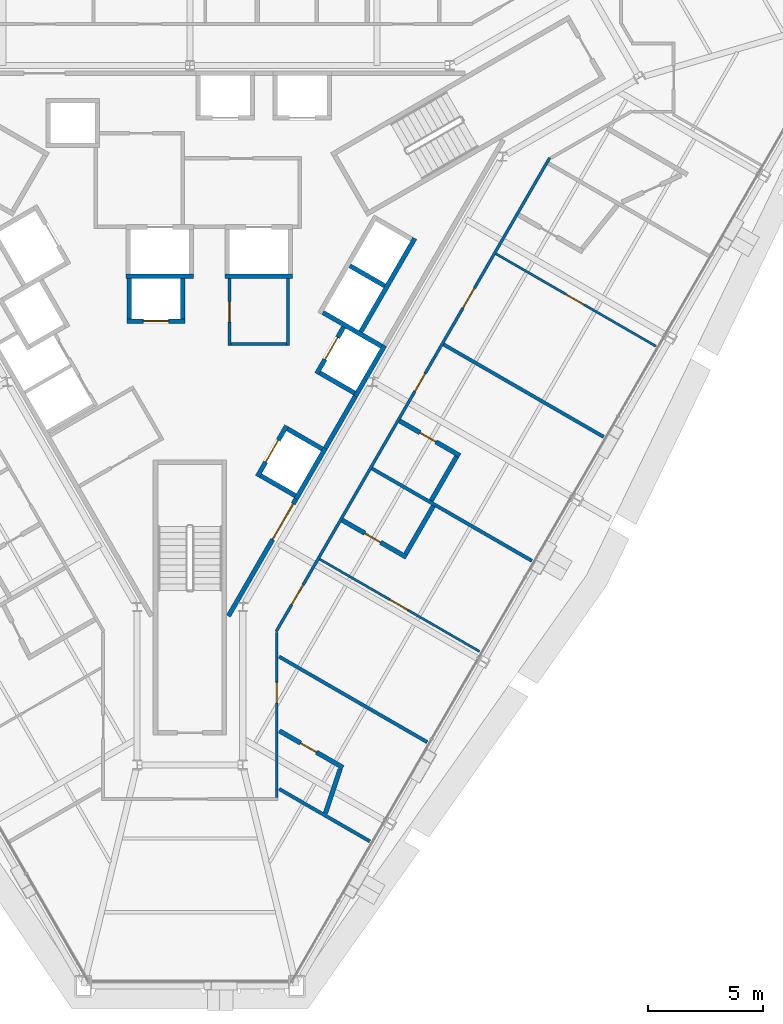
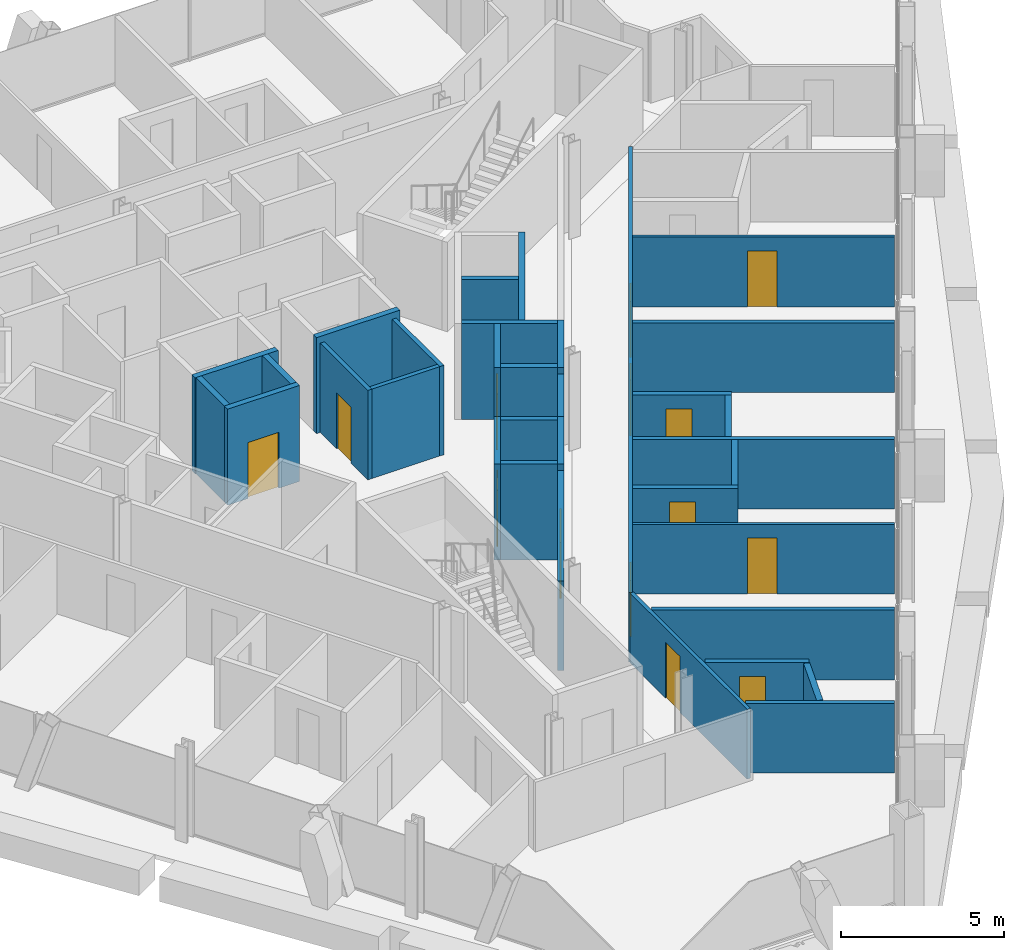
# One storey, part 14 of 19: 34 walls, 14 doors, 14 openings.
"""IFC4 building model written with IfcOpenShell, lengths in metres."""

from ifc_helpers import new_model, si_unit, direction, frame, frame_2d, origin, place, context, subcontext, project, spatial, rectangle, extrude, material, layer, layer_set, type_object, element, fill, save


model = new_model("IFC4")

# Units and contexts
model_context = context("Model", 3, precision=1e-05, world=origin(), true_north=direction((0.0, 1.0)))
body_context = subcontext(model_context, "Body", "Model", "MODEL_VIEW")
ifc_project = project(units=[si_unit("LENGTHUNIT", "METRE"), si_unit("AREAUNIT", "SQUARE_METRE"), si_unit("VOLUMEUNIT", "CUBIC_METRE"), si_unit("PLANEANGLEUNIT", "RADIAN"), si_unit("MASSUNIT", "GRAM", prefix="KILO")], contexts=[model_context])

# Site, building, storey
site_placement = place(None, origin())
site = spatial("IfcSite", under=ifc_project, at=site_placement, CompositionType="ELEMENT")
building_placement = place(site_placement, origin())
building = spatial("IfcBuilding", under=site, at=building_placement, Name="Verrane Prism Tower", CompositionType="ELEMENT")
storey_placement = place(building_placement, frame((0.0, 0.0, 125.199951171875)))
storey = spatial("IfcBuildingStorey", under=building, at=storey_placement, Name="L30", CompositionType="ELEMENT", Elevation=125.199951171875)

# Wall, opening, door
ifc_material_1 = material(Name="Gypsum board partition", Category="other")
ifc_layer_1 = layer(ifc_material_1, 0.199951171875)
ifc_layer_set_1 = layer_set([ifc_layer_1], Name="CW-200 core boundary wall 2 h")
wall_type_1 = type_object("IfcWallType", Name="CW-200 core boundary wall 2 h", PredefinedType="PARTITIONING", material=ifc_layer_set_1)
wall_1_placement = place(storey_placement, frame((1.677490234375, -14.814697265625, 0.0), z_axis=(0.0, 0.0, 1.0), x_axis=(0.49999445743, 0.866028603765, 0.0)))
wall_1 = element("IfcWall", 1, at=wall_1_placement, inside=storey, type_object=wall_type_1, Name="Core boundary wall CW3-003", PredefinedType="PARTITIONING", context=body_context, shape_type="SweptSolid", body=[
    extrude(rectangle(XDim=5.90478515625, YDim=0.199951171875, at=frame_2d((2.952392578125, 0.0))), origin(), (0.0, 0.0, 1.0), 3.35009765625),
])
opening_1_placement = place(wall_1_placement, frame((3.85498046875, 0.0, 0.0)))
opening_1 = element("IfcOpeningElement", 2, at=opening_1_placement, cuts=wall_1, Name="Opening D29517", PredefinedType="OPENING", context=body_context, shape_type="SweptSolid", body=[
    extrude(rectangle(XDim=1.800048828125, YDim=2.10009765625, at=frame_2d((0.89990234375, 1.050048828125))), frame((0.0, 0.10986328125, 0.0), z_axis=(0.0, -1.0, 0.0), x_axis=(1.0, 0.0, 0.0)), (0.0, 0.0, 1.0), 0.219970703125),
])
ifc_material_2 = material(Name="Timber veneered door leaf", Category="wood")
door_type_1 = type_object("IfcDoorType", Name="DR-1800x2100 FD60 double leaf lift lobby", OperationType="NOTDEFINED", PredefinedType="DOOR", material=ifc_material_2)
door_1_placement = place(opening_1_placement, origin())
door_1 = element("IfcDoor", 3, at=door_1_placement, inside=storey, type_object=door_type_1, Name="Lift lobby door D29517", OperationType="DOUBLE_DOOR_SINGLE_SWING", OverallHeight=2.10009765625, OverallWidth=1.800048828125, PredefinedType="DOOR", context=body_context, shape_type="SweptSolid", body=[
    extrude(rectangle(XDim=1.800048828125, YDim=2.10009765625, at=frame_2d((0.89990234375, 1.050048828125))), frame((0.0, 0.02490234375, 0.0), z_axis=(0.0, -1.0, 0.0), x_axis=(1.0, 0.0, 0.0)), (0.0, 0.0, 1.0), 0.050048828125),
])
fill(opening_1, door_1)

# Wall
wall_2_placement = place(storey_placement, frame((5.906005859375, -7.489990234375, 0.0), z_axis=(0.0, 0.0, 1.0), x_axis=(0.500252727967, 0.865879442048, 0.0)))
element("IfcWall", 4, at=wall_2_placement, inside=storey, type_object=wall_type_1, Name="Core boundary wall CW3-005", PredefinedType="PARTITIONING", context=body_context, shape_type="SweptSolid", body=[
    extrude(rectangle(XDim=2.616943359375, YDim=0.199951171875, at=frame_2d((1.30859375, 0.0))), origin(), (0.0, 0.0, 1.0), 3.35009765625),
])

# Wall, opening, door
ifc_material_3 = material(Name="Gypsum board shaft wall assembly", Category="other")
ifc_layer_2 = layer(ifc_material_3, 0.199951171875)
ifc_layer_set_2 = layer_set([ifc_layer_2], Name="HW-200 lift shaft wall 2 h")
wall_type_2 = type_object("IfcWallType", Name="HW-200 lift shaft wall 2 h", PredefinedType="PARTITIONING", material=ifc_layer_set_2)
wall_3_placement = place(storey_placement, frame((-2.7548828125, -1.949951171875, 0.0), z_axis=(0.0, 0.0, 1.0), x_axis=(1.0, 0.0, 0.0)))
wall_3 = element("IfcWall", 5, at=wall_3_placement, inside=storey, type_object=wall_type_2, Name="Lift shaft wall", PredefinedType="PARTITIONING", context=body_context, shape_type="SweptSolid", body=[
    extrude(rectangle(XDim=2.5498046875, YDim=0.199951171875, at=frame_2d((1.27490234375, 0.0))), origin(), (0.0, 0.0, 1.0), 3.60009765625),
])
opening_2_placement = place(wall_3_placement, frame((0.72509765625, 0.0, 0.0)))
opening_2 = element("IfcOpeningElement", 6, at=opening_2_placement, cuts=wall_3, Name="Opening D29504", PredefinedType="OPENING", context=body_context, shape_type="SweptSolid", body=[
    extrude(rectangle(XDim=1.10009765625, YDim=2.10009765625, at=frame_2d((0.550048828125, 1.050048828125))), frame((0.0, 0.10986328125, 0.0), z_axis=(0.0, -1.0, 0.0), x_axis=(1.0, 0.0, 0.0)), (0.0, 0.0, 1.0), 0.219970703125),
])
ifc_material_4 = material(Name="Stainless steel sliding landing door", Category="steel")
door_type_2 = type_object("IfcDoorType", Name="LD-1100x2100 lift landing door FD90 sliding", OperationType="NOTDEFINED", PredefinedType="DOOR", material=ifc_material_4)
door_2_placement = place(opening_2_placement, origin())
door_2 = element("IfcDoor", 7, at=door_2_placement, inside=storey, type_object=door_type_2, Name="Bank A lift 2 landing door", OperationType="SLIDING_TO_RIGHT", OverallHeight=2.10009765625, OverallWidth=1.10009765625, PredefinedType="DOOR", context=body_context, shape_type="SweptSolid", body=[
    extrude(rectangle(XDim=1.10009765625, YDim=2.10009765625, at=frame_2d((0.550048828125, 1.050048828125))), frame((0.0, 0.02490234375, 0.0), z_axis=(0.0, -1.0, 0.0), x_axis=(1.0, 0.0, 0.0)), (0.0, 0.0, 1.0), 0.050048828125),
])
fill(opening_2, door_2)

# Walls
wall_4_placement = place(storey_placement, frame((-2.784912109375, 0.0, 0.0), z_axis=(0.0, 0.0, 1.0), x_axis=(1.0, 0.0, 0.0)))
element("IfcWall", 8, at=wall_4_placement, inside=storey, type_object=wall_type_2, Name="Lift shaft wall", PredefinedType="PARTITIONING", context=body_context, shape_type="SweptSolid", body=[
    extrude(rectangle(XDim=2.949951171875, YDim=0.199951171875, at=frame_2d((1.47509765625, 0.0))), origin(), (0.0, 0.0, 1.0), 3.60009765625),
])
wall_5_placement = place(storey_placement, frame((1.52490234375, 0.0, 0.0), z_axis=(0.0, 0.0, 1.0), x_axis=(1.0, 0.0, 0.0)))
element("IfcWall", 9, at=wall_5_placement, inside=storey, type_object=wall_type_2, Name="Lift shaft wall", PredefinedType="PARTITIONING", context=body_context, shape_type="SweptSolid", body=[
    extrude(rectangle(XDim=2.9501953125, YDim=0.199951171875, at=frame_2d((1.47509765625, 0.0))), origin(), (0.0, 0.0, 1.0), 3.60009765625),
])
wall_6_placement = place(storey_placement, frame((4.63037109375, -9.69970703125, 0.0), z_axis=(0.0, 0.0, 1.0), x_axis=(0.500062241894, 0.865989465428, 0.0)))
element("IfcWall", 10, at=wall_6_placement, inside=storey, type_object=wall_type_2, Name="Lift shaft wall", PredefinedType="PARTITIONING", context=body_context, shape_type="SweptSolid", body=[
    extrude(rectangle(XDim=2.550048828125, YDim=0.199951171875, at=frame_2d((1.27490234375, 0.0))), origin(), (0.0, 0.0, 1.0), 3.60009765625),
])
wall_7_placement = place(storey_placement, frame((7.215576171875, -5.222412109375, 0.0), z_axis=(0.0, 0.0, 1.0), x_axis=(0.499990435942, 0.866030925526, 0.0)))
element("IfcWall", 11, at=wall_7_placement, inside=storey, type_object=wall_type_2, Name="Lift shaft wall", PredefinedType="PARTITIONING", context=body_context, shape_type="SweptSolid", body=[
    extrude(rectangle(XDim=2.5498046875, YDim=0.199951171875, at=frame_2d((1.27490234375, 0.0))), origin(), (0.0, 0.0, 1.0), 3.60009765625),
])
wall_8_placement = place(storey_placement, frame((7.451171875, -2.4140625, 0.0), z_axis=(0.0, 0.0, 1.0), x_axis=(0.500016218704, 0.866016039709, 0.0)))
element("IfcWall", 12, at=wall_8_placement, inside=storey, type_object=wall_type_2, Name="Lift shaft wall", PredefinedType="PARTITIONING", context=body_context, shape_type="SweptSolid", body=[
    extrude(rectangle(XDim=4.699951171875, YDim=0.199951171875, at=frame_2d((2.35009765625, 0.0))), origin(), (0.0, 0.0, 1.0), 3.60009765625),
])

# Wall, opening, door
wall_9_placement = place(storey_placement, frame((2.941650390625, -8.724853515625, 0.0), z_axis=(0.0, 0.0, 1.0), x_axis=(0.500020783669, 0.866013403995, 0.0)))
wall_9 = element("IfcWall", 13, at=wall_9_placement, inside=storey, type_object=wall_type_2, Name="Lift shaft wall", PredefinedType="PARTITIONING", context=body_context, shape_type="SweptSolid", body=[
    extrude(rectangle(XDim=2.55029296875, YDim=0.199951171875, at=frame_2d((1.275146484375, 0.0))), origin(), (0.0, 0.0, 1.0), 3.60009765625),
])
opening_3_placement = place(wall_9_placement, frame((0.72509765625, 0.0, 0.0)))
opening_3 = element("IfcOpeningElement", 14, at=opening_3_placement, cuts=wall_9, Name="Opening D29506", PredefinedType="OPENING", context=body_context, shape_type="SweptSolid", body=[
    extrude(rectangle(XDim=1.10009765625, YDim=2.10009765625, at=frame_2d((0.550048828125, 1.050048828125))), frame((0.0, 0.10986328125, 0.0), z_axis=(0.0, -1.0, 0.0), x_axis=(1.0, 0.0, 0.0)), (0.0, 0.0, 1.0), 0.219970703125),
])
door_3_placement = place(opening_3_placement, origin())
door_3 = element("IfcDoor", 15, at=door_3_placement, inside=storey, type_object=door_type_2, Name="Bank A lift 4 landing door", OperationType="SLIDING_TO_RIGHT", OverallHeight=2.10009765625, OverallWidth=1.10009765625, PredefinedType="DOOR", context=body_context, shape_type="SweptSolid", body=[
    extrude(rectangle(XDim=1.10009765625, YDim=2.10009765625, at=frame_2d((0.550048828125, 1.050048828125))), frame((0.0, 0.02490234375, 0.0), z_axis=(0.0, -1.0, 0.0), x_axis=(1.0, 0.0, 0.0)), (0.0, 0.0, 1.0), 0.050048828125),
])
fill(opening_3, door_3)

wall_10_placement = place(storey_placement, frame((5.52685546875, -4.247314453125, 0.0), z_axis=(0.0, 0.0, 1.0), x_axis=(0.499938297808, 0.866061024631, 0.0)))
wall_10 = element("IfcWall", 16, at=wall_10_placement, inside=storey, type_object=wall_type_2, Name="Lift shaft wall", PredefinedType="PARTITIONING", context=body_context, shape_type="SweptSolid", body=[
    extrude(rectangle(XDim=2.349853515625, YDim=0.199951171875, at=frame_2d((1.1748046875, 0.0))), origin(), (0.0, 0.0, 1.0), 3.60009765625),
])
opening_4_placement = place(wall_10_placement, frame((0.72509765625, 0.0, 0.0)))
opening_4 = element("IfcOpeningElement", 17, at=opening_4_placement, cuts=wall_10, Name="Opening D29507", PredefinedType="OPENING", context=body_context, shape_type="SweptSolid", body=[
    extrude(rectangle(XDim=1.10009765625, YDim=2.10009765625, at=frame_2d((0.550048828125, 1.050048828125))), frame((0.0, 0.10986328125, 0.0), z_axis=(0.0, -1.0, 0.0), x_axis=(1.0, 0.0, 0.0)), (0.0, 0.0, 1.0), 0.219970703125),
])
door_4_placement = place(opening_4_placement, origin())
door_4 = element("IfcDoor", 18, at=door_4_placement, inside=storey, type_object=door_type_2, Name="Bank A lift 5 landing door", OperationType="SLIDING_TO_LEFT", OverallHeight=2.10009765625, OverallWidth=1.10009765625, PredefinedType="DOOR", context=body_context, shape_type="SweptSolid", body=[
    extrude(rectangle(XDim=1.10009765625, YDim=2.10009765625, at=frame_2d((0.550048828125, 1.050048828125))), frame((0.0, 0.02490234375, 0.0), z_axis=(0.0, -1.0, 0.0), x_axis=(1.0, 0.0, 0.0)), (0.0, 0.0, 1.0), 0.050048828125),
])
fill(opening_4, door_4)

# Walls
for number, where, z_axis, x_axis, name in (
    (19, (-0.304931640625, -1.85009765625, 0.0), (0.0, 0.0, 1.0), (0.0, 1.0, 0.0), "Lift shaft wall"),
    (20, (-2.655029296875, -1.85009765625, 0.0), (0.0, 0.0, 1.0), (0.0, 1.0, 0.0), "Lift shaft wall"),
    (21, (8.48974609375, -0.41552734375, 0.0), (0.0, 0.0, 1.0), (-0.866036909293, 0.499980071345, 0.0), "Lift shaft wall"),
):
    element("IfcWall", number, at=place(storey_placement, frame(where, z_axis=z_axis, x_axis=x_axis)), inside=storey, type_object=wall_type_2, Name=name, PredefinedType="PARTITIONING", context=body_context, shape_type="SweptSolid", body=[
        extrude(rectangle(XDim=1.75, YDim=0.199951171875, at=frame_2d((0.875, 0.0))), origin(), (0.0, 0.0, 1.0), 3.60009765625),
    ])
wall_11_placement = place(storey_placement, frame((8.35400390625, -3.050537109375, 0.0), z_axis=(0.0, 0.0, 1.0), x_axis=(-0.866060182126, 0.499939757307, 0.0)))
element("IfcWall", 22, at=wall_11_placement, inside=storey, type_object=wall_type_2, Name="Lift shaft wall", PredefinedType="PARTITIONING", context=body_context, shape_type="SweptSolid", body=[
    extrude(rectangle(XDim=2.949951171875, YDim=0.199951171875, at=frame_2d((1.47509765625, 0.0))), origin(), (0.0, 0.0, 1.0), 3.60009765625),
])
wall_12_placement = place(storey_placement, frame((7.178955078125, -5.085693359375, 0.0), z_axis=(0.0, 0.0, 1.0), x_axis=(-0.866036909293, 0.499980071345, 0.0)))
element("IfcWall", 23, at=wall_12_placement, inside=storey, type_object=wall_type_2, Name="Lift shaft wall", PredefinedType="PARTITIONING", context=body_context, shape_type="SweptSolid", body=[
    extrude(rectangle(XDim=1.75, YDim=0.199951171875, at=frame_2d((0.875, 0.0))), origin(), (0.0, 0.0, 1.0), 3.60009765625),
])
wall_13_placement = place(storey_placement, frame((5.768798828125, -7.528076171875, 0.0), z_axis=(0.0, 0.0, 1.0), x_axis=(-0.866002029911, 0.500040482552, 0.0)))
element("IfcWall", 24, at=wall_13_placement, inside=storey, type_object=wall_type_2, Name="Lift shaft wall", PredefinedType="PARTITIONING", context=body_context, shape_type="SweptSolid", body=[
    extrude(rectangle(XDim=1.749755859375, YDim=0.199951171875, at=frame_2d((0.875, 0.0))), origin(), (0.0, 0.0, 1.0), 3.60009765625),
])
wall_14_placement = place(storey_placement, frame((4.593994140625, -9.563232421875, 0.0), z_axis=(0.0, 0.0, 1.0), x_axis=(-0.866036909293, 0.499980071345, 0.0)))
element("IfcWall", 25, at=wall_14_placement, inside=storey, type_object=wall_type_2, Name="Lift shaft wall", PredefinedType="PARTITIONING", context=body_context, shape_type="SweptSolid", body=[
    extrude(rectangle(XDim=1.75, YDim=0.199951171875, at=frame_2d((0.875, 0.0))), origin(), (0.0, 0.0, 1.0), 3.60009765625),
])

# Wall, opening, door
ifc_material_5 = material(Name="Gypsum board partition", Category="other")
ifc_layer_3 = layer(ifc_material_5, 0.10009765625)
ifc_layer_set_3 = layer_set([ifc_layer_3], Name="PW-100 room partition")
wall_type_3 = type_object("IfcWallType", Name="PW-100 room partition", PredefinedType="PARTITIONING", material=ifc_layer_set_3)
wall_15_placement = place(storey_placement, frame((5.654052734375, -12.331298828125, 0.0), z_axis=(0.0, 0.0, 1.0), x_axis=(0.866051796338, -0.49995428397, 0.0)))
wall_15 = element("IfcWall", 26, at=wall_15_placement, inside=storey, type_object=wall_type_3, Name="Room partition 051", PredefinedType="PARTITIONING", context=body_context, shape_type="SweptSolid", body=[
    extrude(rectangle(XDim=8.052490234375, YDim=0.10009765625, at=frame_2d((4.0263671875, 0.0))), origin(), (0.0, 0.0, 1.0), 2.613037109375),
])
opening_5_placement = place(wall_15_placement, frame((3.53759765625, 0.0, 0.0)))
opening_5 = element("IfcOpeningElement", 27, at=opening_5_placement, cuts=wall_15, Name="Opening D29031", PredefinedType="OPENING", context=body_context, shape_type="SweptSolid", body=[
    extrude(rectangle(XDim=0.89990234375, YDim=2.10009765625, at=frame_2d((0.449951171875, 1.050048828125))), frame((0.0, 0.06005859375, 0.0), z_axis=(0.0, -1.0, 0.0), x_axis=(1.0, 0.0, 0.0)), (0.0, 0.0, 1.0), 0.1201171875),
])
ifc_material_6 = material(Name="Timber veneered door leaf", Category="wood")
door_type_3 = type_object("IfcDoorType", Name="DR-900x2100 single leaf inner", OperationType="NOTDEFINED", PredefinedType="DOOR", material=ifc_material_6)
door_5_placement = place(opening_5_placement, origin())
door_5 = element("IfcDoor", 28, at=door_5_placement, inside=storey, type_object=door_type_3, Name="Suite Living Room door", OperationType="SINGLE_SWING_LEFT", OverallHeight=2.10009765625, OverallWidth=0.89990234375, PredefinedType="DOOR", context=body_context, shape_type="SweptSolid", body=[
    extrude(rectangle(XDim=0.89990234375, YDim=2.10009765625, at=frame_2d((0.449951171875, 1.050048828125))), frame((0.0, 0.02490234375, 0.0), z_axis=(0.0, -1.0, 0.0), x_axis=(1.0, 0.0, 0.0)), (0.0, 0.0, 1.0), 0.050048828125),
])
fill(opening_5, door_5)

wall_16_placement = place(storey_placement, frame((13.341064453125, 0.981689453125, 0.0), z_axis=(0.0, 0.0, 1.0), x_axis=(0.865974505336, -0.500088148337, 0.0)))
wall_16 = element("IfcWall", 29, at=wall_16_placement, inside=storey, type_object=wall_type_3, Name="Room partition 062", PredefinedType="PARTITIONING", context=body_context, shape_type="SweptSolid", body=[
    extrude(rectangle(XDim=8.0517578125, YDim=0.10009765625, at=frame_2d((4.02587890625, 0.0))), origin(), (0.0, 0.0, 1.0), 2.613037109375),
])
opening_6_placement = place(wall_16_placement, frame((3.53759765625, 0.0, 0.0)))
opening_6 = element("IfcOpeningElement", 30, at=opening_6_placement, cuts=wall_16, Name="Opening D29036", PredefinedType="OPENING", context=body_context, shape_type="SweptSolid", body=[
    extrude(rectangle(XDim=0.89990234375, YDim=2.10009765625, at=frame_2d((0.449951171875, 1.050048828125))), frame((0.0, 0.06005859375, 0.0), z_axis=(0.0, -1.0, 0.0), x_axis=(1.0, 0.0, 0.0)), (0.0, 0.0, 1.0), 0.1201171875),
])
door_6_placement = place(opening_6_placement, origin())
door_6 = element("IfcDoor", 31, at=door_6_placement, inside=storey, type_object=door_type_3, Name="Suite Living Room door", OperationType="SINGLE_SWING_RIGHT", OverallHeight=2.10009765625, OverallWidth=0.89990234375, PredefinedType="DOOR", context=body_context, shape_type="SweptSolid", body=[
    extrude(rectangle(XDim=0.89990234375, YDim=2.10009765625, at=frame_2d((0.449951171875, 1.050048828125))), frame((0.0, 0.02490234375, 0.0), z_axis=(0.0, -1.0, 0.0), x_axis=(1.0, 0.0, 0.0)), (0.0, 0.0, 1.0), 0.050048828125),
])
fill(opening_6, door_6)

ifc_material_7 = material(Name="Gypsum board partition", Category="other")
ifc_layer_4 = layer(ifc_material_7, 0.125)
ifc_layer_set_4 = layer_set([ifc_layer_4], Name="PW-125 corridor wall 1 h")
wall_type_4 = type_object("IfcWallType", Name="PW-125 corridor wall 1 h", PredefinedType="PARTITIONING", material=ifc_layer_set_4)
wall_17_placement = place(storey_placement, frame((3.787109375, -15.52490234375, 0.0), z_axis=(0.0, 0.0, 1.0), x_axis=(0.0, -1.0, 0.0)))
wall_17 = element("IfcWall", 32, at=wall_17_placement, inside=storey, type_object=wall_type_4, Name="Corridor wall 044", PredefinedType="PARTITIONING", context=body_context, shape_type="SweptSolid", body=[
    extrude(rectangle(XDim=7.197021484375, YDim=0.125, at=frame_2d((3.5986328125, 0.0))), origin(), (0.0, 0.0, 1.0), 2.613037109375),
])
opening_7_placement = place(wall_17_placement, frame((2.177001953125, 0.0, 0.0)))
opening_7 = element("IfcOpeningElement", 33, at=opening_7_placement, cuts=wall_17, Name="Opening D29028", PredefinedType="OPENING", context=body_context, shape_type="SweptSolid", body=[
    extrude(rectangle(XDim=0.89990234375, YDim=2.10009765625, at=frame_2d((0.449951171875, 1.050048828125))), frame((0.0, 0.072509765625, 0.0), z_axis=(0.0, -1.0, 0.0), x_axis=(1.0, 0.0, 0.0)), (0.0, 0.0, 1.0), 0.14501953125),
])
ifc_material_8 = material(Name="Timber veneered door leaf", Category="wood")
door_type_4 = type_object("IfcDoorType", Name="DR-900x2100 FD20 single leaf unit", OperationType="NOTDEFINED", PredefinedType="DOOR", material=ifc_material_8)
door_7_placement = place(opening_7_placement, origin())
door_7 = element("IfcDoor", 34, at=door_7_placement, inside=storey, type_object=door_type_4, Name="Guest Room door", OperationType="SINGLE_SWING_LEFT", OverallHeight=2.10009765625, OverallWidth=0.89990234375, PredefinedType="DOOR", context=body_context, shape_type="SweptSolid", body=[
    extrude(rectangle(XDim=0.89990234375, YDim=2.10009765625, at=frame_2d((0.449951171875, 1.050048828125))), frame((0.0, 0.02490234375, 0.0), z_axis=(0.0, -1.0, 0.0), x_axis=(1.0, 0.0, 0.0)), (0.0, 0.0, 1.0), 0.050048828125),
])
fill(opening_7, door_7)

# Wall, openings, doors
wall_18_placement = place(storey_placement, frame((15.684326171875, 5.1650390625, 0.0), z_axis=(0.0, 0.0, 1.0), x_axis=(-0.500027787016, -0.866009360349, 0.0)))
wall_18 = element("IfcWall", 35, at=wall_18_placement, inside=storey, type_object=wall_type_4, Name="Corridor wall 048", PredefinedType="PARTITIONING", context=body_context, shape_type="SweptSolid", body=[
    extrude(rectangle(XDim=23.855712890625, YDim=0.125, at=frame_2d((11.927734375, 0.0))), origin(), (0.0, 0.0, 1.0), 2.613037109375),
])
opening_8_placement = place(wall_18_placement, frame((21.4931640625, 0.0, 0.0)))
opening_8 = element("IfcOpeningElement", 36, at=opening_8_placement, cuts=wall_18, Name="Opening D29030", PredefinedType="OPENING", context=body_context, shape_type="SweptSolid", body=[
    extrude(rectangle(XDim=1.0, YDim=2.10009765625, at=frame_2d((0.5, 1.050048828125))), frame((0.0, 0.072509765625, 0.0), z_axis=(0.0, -1.0, 0.0), x_axis=(1.0, 0.0, 0.0)), (0.0, 0.0, 1.0), 0.14501953125),
])
opening_9_placement = place(wall_18_placement, frame((10.853271484375, 0.0, 0.0)))
opening_9 = element("IfcOpeningElement", 37, at=opening_9_placement, cuts=wall_18, Name="Opening D29033", PredefinedType="OPENING", context=body_context, shape_type="SweptSolid", body=[
    extrude(rectangle(XDim=0.89990234375, YDim=2.10009765625, at=frame_2d((0.449951171875, 1.050048828125))), frame((0.0, 0.072509765625, 0.0), z_axis=(0.0, -1.0, 0.0), x_axis=(1.0, 0.0, 0.0)), (0.0, 0.0, 1.0), 0.14501953125),
])
opening_10_placement = place(wall_18_placement, frame((6.55810546875, 0.0, 0.0)))
opening_10 = element("IfcOpeningElement", 38, at=opening_10_placement, cuts=wall_18, Name="Opening D29035", PredefinedType="OPENING", context=body_context, shape_type="SweptSolid", body=[
    extrude(rectangle(XDim=1.0, YDim=2.10009765625, at=frame_2d((0.5, 1.050048828125))), frame((0.0, 0.072509765625, 0.0), z_axis=(0.0, -1.0, 0.0), x_axis=(1.0, 0.0, 0.0)), (0.0, 0.0, 1.0), 0.14501953125),
])
ifc_material_9 = material(Name="Timber veneered door leaf", Category="wood")
door_type_5 = type_object("IfcDoorType", Name="DR-1000x2100 FD20 single leaf unit", OperationType="NOTDEFINED", PredefinedType="DOOR", material=ifc_material_9)
door_8_placement = place(opening_8_placement, origin())
door_8 = element("IfcDoor", 39, at=door_8_placement, inside=storey, type_object=door_type_5, Name="Suite Living Room door", OperationType="SINGLE_SWING_LEFT", OverallHeight=2.10009765625, OverallWidth=1.0, PredefinedType="DOOR", context=body_context, shape_type="SweptSolid", body=[
    extrude(rectangle(XDim=1.0, YDim=2.10009765625, at=frame_2d((0.5, 1.050048828125))), frame((0.0, 0.02490234375, 0.0), z_axis=(0.0, -1.0, 0.0), x_axis=(1.0, 0.0, 0.0)), (0.0, 0.0, 1.0), 0.050048828125),
])
fill(opening_8, door_8)
door_9_placement = place(opening_10_placement, origin())
door_9 = element("IfcDoor", 40, at=door_9_placement, inside=storey, type_object=door_type_5, Name="Suite Living Room door", OperationType="SINGLE_SWING_RIGHT", OverallHeight=2.10009765625, OverallWidth=1.0, PredefinedType="DOOR", context=body_context, shape_type="SweptSolid", body=[
    extrude(rectangle(XDim=1.0, YDim=2.10009765625, at=frame_2d((0.5, 1.050048828125))), frame((0.0, 0.02490234375, 0.0), z_axis=(0.0, -1.0, 0.0), x_axis=(1.0, 0.0, 0.0)), (0.0, 0.0, 1.0), 0.050048828125),
])
fill(opening_10, door_9)
door_10_placement = place(opening_9_placement, origin())
door_10 = element("IfcDoor", 41, at=door_10_placement, inside=storey, type_object=door_type_4, Name="Junior Suite door", OperationType="SINGLE_SWING_RIGHT", OverallHeight=2.10009765625, OverallWidth=0.89990234375, PredefinedType="DOOR", context=body_context, shape_type="SweptSolid", body=[
    extrude(rectangle(XDim=0.89990234375, YDim=2.10009765625, at=frame_2d((0.449951171875, 1.050048828125))), frame((0.0, 0.02490234375, 0.0), z_axis=(0.0, -1.0, 0.0), x_axis=(1.0, 0.0, 0.0)), (0.0, 0.0, 1.0), 0.050048828125),
])
fill(opening_9, door_10)

# Walls
ifc_material_10 = material(Name="Gypsum board partition", Category="other")
ifc_layer_5 = layer(ifc_material_10, 0.14990234375)
ifc_layer_set_5 = layer_set([ifc_layer_5], Name="PW-150 demising wall 1 h")
wall_type_5 = type_object("IfcWallType", Name="PW-150 demising wall 1 h", PredefinedType="PARTITIONING", material=ifc_layer_set_5)
wall_19_placement = place(storey_placement, frame((3.886962890625, -22.349609375, 0.0), z_axis=(0.0, 0.0, 1.0), x_axis=(0.866046917185, -0.499962735845, 0.0)))
element("IfcWall", 42, at=wall_19_placement, inside=storey, type_object=wall_type_5, Name="Demising wall 045", PredefinedType="PARTITIONING", context=body_context, shape_type="SweptSolid", body=[
    extrude(rectangle(XDim=4.573486328125, YDim=0.14990234375, at=frame_2d((2.28662109375, 0.0))), origin(), (0.0, 0.0, 1.0), 2.613037109375),
])
wall_20_placement = place(storey_placement, frame((3.886962890625, -16.580810546875, 0.0), z_axis=(0.0, 0.0, 1.0), x_axis=(0.866008413041, -0.500029427677, 0.0)))
element("IfcWall", 43, at=wall_20_placement, inside=storey, type_object=wall_type_5, Name="Demising wall 047", PredefinedType="PARTITIONING", context=body_context, shape_type="SweptSolid", body=[
    extrude(rectangle(XDim=7.4580078125, YDim=0.14990234375, at=frame_2d((3.72900390625, 0.0))), origin(), (0.0, 0.0, 1.0), 2.613037109375),
])
for number, where, z_axis, x_axis, name in (
    (44, (7.93603515625, -8.379150390625, 0.0), (0.0, 0.0, 1.0), (0.866044217767, -0.499967411811, 0.0), "Demising wall 055"),
    (45, (11.05908203125, -2.97021484375, 0.0), (0.0, 0.0, 1.0), (0.865968957472, -0.500097755139, 0.0), "Demising wall 060"),
):
    element("IfcWall", number, at=place(storey_placement, frame(where, z_axis=z_axis, x_axis=x_axis)), inside=storey, type_object=wall_type_5, Name=name, PredefinedType="PARTITIONING", context=body_context, shape_type="SweptSolid", body=[
        extrude(rectangle(XDim=8.05224609375, YDim=0.14990234375, at=frame_2d((4.026123046875, 0.0))), origin(), (0.0, 0.0, 1.0), 2.613037109375),
    ])

# Wall, opening, door
ifc_material_11 = material(Name="Gypsum board partition", Category="other")
ifc_layer_6 = layer(ifc_material_11, 0.199951171875)
ifc_layer_set_6 = layer_set([ifc_layer_6], Name="PW-200 plumbing wall")
wall_type_6 = type_object("IfcWallType", Name="PW-200 plumbing wall", PredefinedType="PARTITIONING", material=ifc_layer_set_6)
wall_21_placement = place(storey_placement, frame((6.673583984375, -21.41796875, 0.0), z_axis=(0.0, 0.0, 1.0), x_axis=(-0.866105631149, 0.499861016376, 0.0)))
wall_21 = element("IfcWall", 46, at=wall_21_placement, inside=storey, type_object=wall_type_6, Name="Plumbing wall 046", PredefinedType="PARTITIONING", context=body_context, shape_type="SweptSolid", body=[
    extrude(rectangle(XDim=3.203125, YDim=0.199951171875, at=frame_2d((1.6015625, 0.0))), origin(), (0.0, 0.0, 1.0), 2.613037109375),
])
opening_11_placement = place(wall_21_placement, frame((1.332763671875, 0.0, 0.0)))
opening_11 = element("IfcOpeningElement", 47, at=opening_11_placement, cuts=wall_21, Name="Opening D29029", PredefinedType="OPENING", context=body_context, shape_type="SweptSolid", body=[
    extrude(rectangle(XDim=0.800048828125, YDim=2.10009765625, at=frame_2d((0.39990234375, 1.050048828125))), frame((0.0, 0.10986328125, 0.0), z_axis=(0.0, -1.0, 0.0), x_axis=(1.0, 0.0, 0.0)), (0.0, 0.0, 1.0), 0.219970703125),
])
ifc_material_12 = material(Name="Timber veneered door leaf", Category="wood")
door_type_6 = type_object("IfcDoorType", Name="DR-800x2100 single leaf bath", OperationType="NOTDEFINED", PredefinedType="DOOR", material=ifc_material_12)
door_11_placement = place(opening_11_placement, origin())
door_11 = element("IfcDoor", 48, at=door_11_placement, inside=storey, type_object=door_type_6, Name="En-Suite door", OperationType="SINGLE_SWING_RIGHT", OverallHeight=2.10009765625, OverallWidth=0.800048828125, PredefinedType="DOOR", context=body_context, shape_type="SweptSolid", body=[
    extrude(rectangle(XDim=0.800048828125, YDim=2.10009765625, at=frame_2d((0.39990234375, 1.050048828125))), frame((0.0, 0.02490234375, 0.0), z_axis=(0.0, -1.0, 0.0), x_axis=(1.0, 0.0, 0.0)), (0.0, 0.0, 1.0), 0.050048828125),
])
fill(opening_11, door_11)

# Wall
wall_22_placement = place(storey_placement, frame((5.90673828125, -23.406005859375, 0.0), z_axis=(0.0, 0.0, 1.0), x_axis=(0.316661020634, 0.948538769904, 0.0)))
element("IfcWall", 49, at=wall_22_placement, inside=storey, type_object=wall_type_6, Name="Plumbing wall 052", PredefinedType="PARTITIONING", context=body_context, shape_type="SweptSolid", body=[
    extrude(rectangle(XDim=2.028564453125, YDim=0.199951171875, at=frame_2d((1.01416015625, 0.0))), origin(), (0.0, 0.0, 1.0), 2.613037109375),
])

# Wall, opening, door
wall_23_placement = place(storey_placement, frame((6.640380859375, -10.6328125, 0.0), z_axis=(0.0, 0.0, 1.0), x_axis=(0.866022073929, -0.500005767435, 0.0)))
wall_23 = element("IfcWall", 50, at=wall_23_placement, inside=storey, type_object=wall_type_6, Name="Plumbing wall 053", PredefinedType="PARTITIONING", context=body_context, shape_type="SweptSolid", body=[
    extrude(rectangle(XDim=3.232421875, YDim=0.199951171875, at=frame_2d((1.6162109375, 0.0))), origin(), (0.0, 0.0, 1.0), 2.613037109375),
])
opening_12_placement = place(wall_23_placement, frame((1.132568359375, 0.0, 0.0)))
opening_12 = element("IfcOpeningElement", 51, at=opening_12_placement, cuts=wall_23, Name="Opening D29032", PredefinedType="OPENING", context=body_context, shape_type="SweptSolid", body=[
    extrude(rectangle(XDim=0.800048828125, YDim=2.10009765625, at=frame_2d((0.39990234375, 1.050048828125))), frame((0.0, 0.10986328125, 0.0), z_axis=(0.0, -1.0, 0.0), x_axis=(1.0, 0.0, 0.0)), (0.0, 0.0, 1.0), 0.219970703125),
])
door_12_placement = place(opening_12_placement, origin())
door_12 = element("IfcDoor", 52, at=door_12_placement, inside=storey, type_object=door_type_6, Name="En-Suite door", OperationType="SINGLE_SWING_RIGHT", OverallHeight=2.10009765625, OverallWidth=0.800048828125, PredefinedType="DOOR", context=body_context, shape_type="SweptSolid", body=[
    extrude(rectangle(XDim=0.800048828125, YDim=2.10009765625, at=frame_2d((0.39990234375, 1.050048828125))), frame((0.0, 0.02490234375, 0.0), z_axis=(0.0, -1.0, 0.0), x_axis=(1.0, 0.0, 0.0)), (0.0, 0.0, 1.0), 0.050048828125),
])
fill(opening_12, door_12)

wall_24_placement = place(storey_placement, frame((11.7666015625, -7.819091796875, 0.0), z_axis=(0.0, 0.0, 1.0), x_axis=(-0.866009954834, 0.500026757412, 0.0)))
wall_24 = element("IfcWall", 53, at=wall_24_placement, inside=storey, type_object=wall_type_6, Name="Plumbing wall 056", PredefinedType="PARTITIONING", context=body_context, shape_type="SweptSolid", body=[
    extrude(rectangle(XDim=3.032470703125, YDim=0.199951171875, at=frame_2d((1.51611328125, 0.0))), origin(), (0.0, 0.0, 1.0), 2.613037109375),
])
opening_13_placement = place(wall_24_placement, frame((1.199951171875, 0.0, 0.0)))
opening_13 = element("IfcOpeningElement", 54, at=opening_13_placement, cuts=wall_24, Name="Opening D29034", PredefinedType="OPENING", context=body_context, shape_type="SweptSolid", body=[
    extrude(rectangle(XDim=0.800048828125, YDim=2.10009765625, at=frame_2d((0.39990234375, 1.050048828125))), frame((0.0, 0.10986328125, 0.0), z_axis=(0.0, -1.0, 0.0), x_axis=(1.0, 0.0, 0.0)), (0.0, 0.0, 1.0), 0.219970703125),
])
door_13_placement = place(opening_13_placement, origin())
door_13 = element("IfcDoor", 55, at=door_13_placement, inside=storey, type_object=door_type_6, Name="En-Suite door", OperationType="SINGLE_SWING_LEFT", OverallHeight=2.10009765625, OverallWidth=0.800048828125, PredefinedType="DOOR", context=body_context, shape_type="SweptSolid", body=[
    extrude(rectangle(XDim=0.800048828125, YDim=2.10009765625, at=frame_2d((0.39990234375, 1.050048828125))), frame((0.0, 0.02490234375, 0.0), z_axis=(0.0, -1.0, 0.0), x_axis=(1.0, 0.0, 0.0)), (0.0, 0.0, 1.0), 0.050048828125),
])
fill(opening_13, door_13)

# Walls
wall_25_placement = place(storey_placement, frame((9.403076171875, -12.1123046875, 0.0), z_axis=(0.0, 0.0, 1.0), x_axis=(0.500103096288, 0.865965872932, 0.0)))
element("IfcWall", 56, at=wall_25_placement, inside=storey, type_object=wall_type_6, Name="Plumbing wall 057", PredefinedType="PARTITIONING", context=body_context, shape_type="SweptSolid", body=[
    extrude(rectangle(XDim=2.42431640625, YDim=0.199951171875, at=frame_2d((1.212158203125, 0.0))), origin(), (0.0, 0.0, 1.0), 2.613037109375),
])
wall_26_placement = place(storey_placement, frame((10.52001953125, -9.77880859375, 0.0), z_axis=(0.0, 0.0, 1.0), x_axis=(0.499935013329, 0.866062920605, 0.0)))
element("IfcWall", 57, at=wall_26_placement, inside=storey, type_object=wall_type_6, Name="Plumbing wall 058", PredefinedType="PARTITIONING", context=body_context, shape_type="SweptSolid", body=[
    extrude(rectangle(XDim=2.220458984375, YDim=0.199951171875, at=frame_2d((1.1103515625, 0.0))), origin(), (0.0, 0.0, 1.0), 2.613037109375),
])

# Wall, opening, door
ifc_material_13 = material(Name="Gypsum board partition", Category="other")
ifc_layer_7 = layer(ifc_material_13, 0.14990234375)
ifc_layer_set_7 = layer_set([ifc_layer_7], Name="RS-150 riser enclosure wall 1 h")
wall_type_7 = type_object("IfcWallType", Name="RS-150 riser enclosure wall 1 h", PredefinedType="PARTITIONING", material=ifc_layer_set_7)
wall_27_placement = place(storey_placement, frame((1.72509765625, -0.10205078125, 0.0), z_axis=(0.0, 0.0, 1.0), x_axis=(0.0, -1.0, 0.0)))
wall_27 = element("IfcWall", 58, at=wall_27_placement, inside=storey, type_object=wall_type_7, Name="Riser wall RS3-008", PredefinedType="PARTITIONING", context=body_context, shape_type="SweptSolid", body=[
    extrude(rectangle(XDim=2.9228515625, YDim=0.14990234375, at=frame_2d((1.46142578125, 0.0))), origin(), (0.0, 0.0, 1.0), 3.35009765625),
])
opening_14_placement = place(wall_27_placement, frame((0.998046875, 0.0, 0.0)))
opening_14 = element("IfcOpeningElement", 59, at=opening_14_placement, cuts=wall_27, Name="Opening D29518", PredefinedType="OPENING", context=body_context, shape_type="SweptSolid", body=[
    extrude(rectangle(XDim=0.89990234375, YDim=2.10009765625, at=frame_2d((0.449951171875, 1.050048828125))), frame((0.0, 0.0849609375, 0.0), z_axis=(0.0, -1.0, 0.0), x_axis=(1.0, 0.0, 0.0)), (0.0, 0.0, 1.0), 0.169921875),
])
ifc_material_14 = material(Name="Timber veneered door leaf", Category="wood")
door_type_7 = type_object("IfcDoorType", Name="DR-900x2100 FD20 single leaf store", OperationType="NOTDEFINED", PredefinedType="DOOR", material=ifc_material_14)
door_14_placement = place(opening_14_placement, origin())
door_14 = element("IfcDoor", 60, at=door_14_placement, inside=storey, type_object=door_type_7, Name="Room door D29518", OperationType="SINGLE_SWING_LEFT", OverallHeight=2.10009765625, OverallWidth=0.89990234375, PredefinedType="DOOR", context=body_context, shape_type="SweptSolid", body=[
    extrude(rectangle(XDim=0.89990234375, YDim=2.10009765625, at=frame_2d((0.449951171875, 1.050048828125))), frame((0.0, 0.02490234375, 0.0), z_axis=(0.0, -1.0, 0.0), x_axis=(1.0, 0.0, 0.0)), (0.0, 0.0, 1.0), 0.050048828125),
])
fill(opening_14, door_14)

# Walls
wall_28_placement = place(storey_placement, frame((1.800048828125, -2.949951171875, 0.0), z_axis=(0.0, 0.0, 1.0), x_axis=(1.0, 0.0, 0.0)))
element("IfcWall", 61, at=wall_28_placement, inside=storey, type_object=wall_type_7, Name="Riser wall RS3-009", PredefinedType="PARTITIONING", context=body_context, shape_type="SweptSolid", body=[
    extrude(rectangle(XDim=2.39990234375, YDim=0.14990234375, at=frame_2d((1.199951171875, 0.0))), origin(), (0.0, 0.0, 1.0), 3.35009765625),
])
wall_29_placement = place(storey_placement, frame((4.27490234375, -3.02490234375, 0.0), z_axis=(0.0, 0.0, 1.0), x_axis=(0.0, 1.0, 0.0)))
element("IfcWall", 62, at=wall_29_placement, inside=storey, type_object=wall_type_7, Name="Riser wall RS3-010", PredefinedType="PARTITIONING", context=body_context, shape_type="SweptSolid", body=[
    extrude(rectangle(XDim=2.9228515625, YDim=0.14990234375, at=frame_2d((1.46142578125, 0.0))), origin(), (0.0, 0.0, 1.0), 3.35009765625),
])

save(model, "model.ifc")
